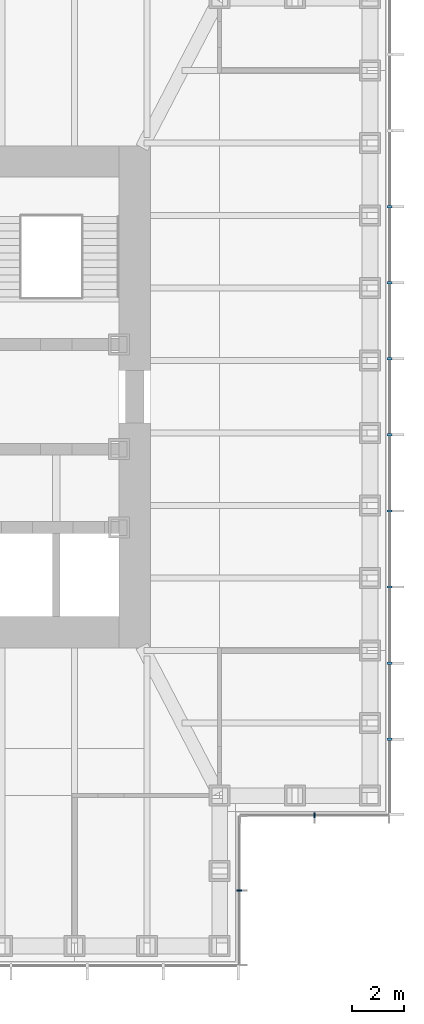
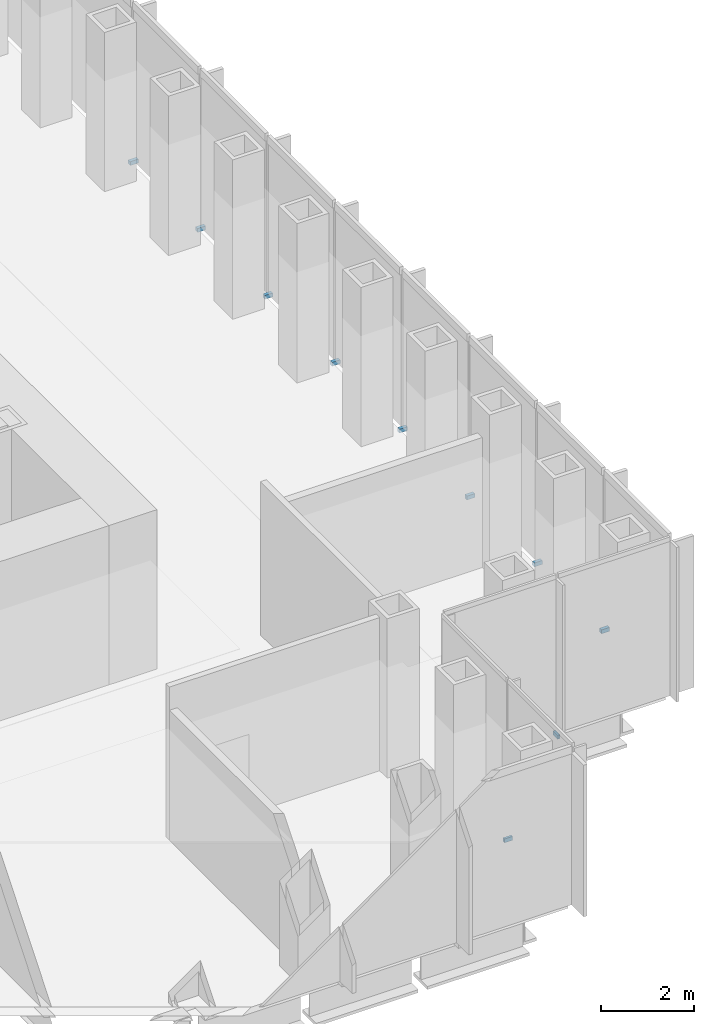
# One storey, part 13 of 16: 10 discrete accessories.
"""IFC4 building model written with IfcOpenShell, lengths in metres."""

from ifc_helpers import new_model, si_unit, direction, frame, origin, origin_2d, place, context, subcontext, project, spatial, rectangle, extrude, element, save


model = new_model("IFC4")

# Units and contexts
model_context = context("Model", 3, precision=1e-05, world=origin(), true_north=direction((0.0, 1.0)))
body_context = subcontext(model_context, "Body", "Model", "MODEL_VIEW")
ifc_project = project(units=[si_unit("LENGTHUNIT", "METRE"), si_unit("AREAUNIT", "SQUARE_METRE"), si_unit("VOLUMEUNIT", "CUBIC_METRE"), si_unit("PLANEANGLEUNIT", "RADIAN"), si_unit("MASSUNIT", "GRAM", prefix="KILO")], contexts=[model_context])

# Site, building, storey
site_placement = place(None, origin())
site = spatial("IfcSite", under=ifc_project, at=site_placement, CompositionType="ELEMENT")
building_placement = place(site_placement, origin())
building = spatial("IfcBuilding", under=site, at=building_placement, Name="Daluyong Arena Tower", CompositionType="ELEMENT")
storey_placement = place(building_placement, frame((0.0, 0.0, 262.89990234375)))
storey = spatial("IfcBuildingStorey", under=building, at=storey_placement, Name="L59", CompositionType="ELEMENT", Elevation=262.89990234375)

# Discrete accessories
for number, where, z_axis, x_axis, name in (
    (1, (72.0, 61.125, -0.099853515625), (0.0, 0.0, 1.0), (0.0, 1.0, 0.0), "curtain wall L59 SE-E anchor bracket 2"),
    (2, (74.875, 64.0, -0.099853515625), (0.0, 0.0, 1.0), (1.0, 0.0, 0.0), "curtain wall L59 SE-S anchor bracket 2"),
):
    element("IfcDiscreteAccessory", number, at=place(storey_placement, frame(where, z_axis=z_axis, x_axis=x_axis)), inside=storey, Name=name, PredefinedType="BRACKET", context=body_context, shape_type="SweptSolid", body=[
        extrude(rectangle(XDim=0.06005859375, YDim=0.199951171875, at=origin_2d()), origin(), (0.0, 0.0, 1.0), 0.10009765625),
    ])
for number, where, z_axis, x_axis, name in (
    (3, (77.75, 66.9091796875, -0.099853515625), (0.0, 0.0, 1.0), (0.0, 1.0, 0.0), "curtain wall L59 E anchor bracket 2"),
    (4, (77.75, 69.818115234375, -0.099853515625), (0.0, 0.0, 1.0), (0.0, 1.0, 0.0), "curtain wall L59 E anchor bracket 3"),
    (5, (77.75, 72.727294921875, -0.099853515625), (0.0, 0.0, 1.0), (0.0, 1.0, 0.0), "curtain wall L59 E anchor bracket 4"),
    (6, (77.75, 75.636474609375, -0.099853515625), (0.0, 0.0, 1.0), (0.0, 1.0, 0.0), "curtain wall L59 E anchor bracket 5"),
    (7, (77.75, 78.54541015625, -0.099853515625), (0.0, 0.0, 1.0), (0.0, 1.0, 0.0), "curtain wall L59 E anchor bracket 6"),
    (8, (77.75, 81.45458984375, -0.099853515625), (0.0, 0.0, 1.0), (0.0, 1.0, 0.0), "curtain wall L59 E anchor bracket 7"),
    (9, (77.75, 84.363525390625, -0.099853515625), (0.0, 0.0, 1.0), (0.0, 1.0, 0.0), "curtain wall L59 E anchor bracket 8"),
    (10, (77.75, 87.272705078125, -0.099853515625), (0.0, 0.0, 1.0), (0.0, 1.0, 0.0), "curtain wall L59 E anchor bracket 9"),
):
    element("IfcDiscreteAccessory", number, at=place(storey_placement, frame(where, z_axis=z_axis, x_axis=x_axis)), inside=storey, Name=name, PredefinedType="BRACKET", context=body_context, shape_type="SweptSolid", body=[
        extrude(rectangle(XDim=0.090087890625, YDim=0.199951171875, at=origin_2d()), origin(), (0.0, 0.0, 1.0), 0.10009765625),
    ])

save(model, "model.ifc")
